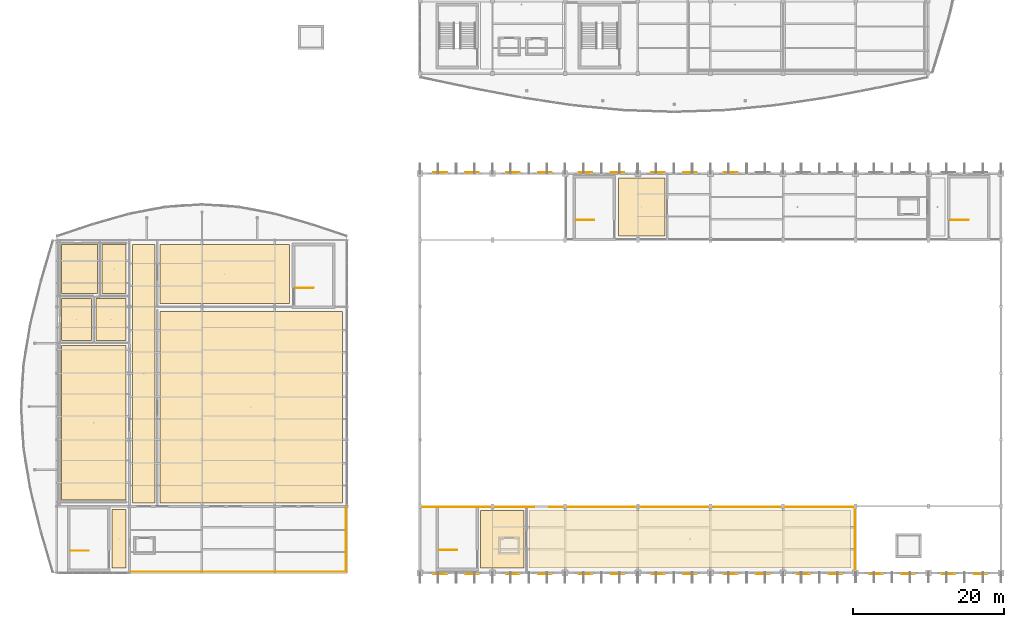
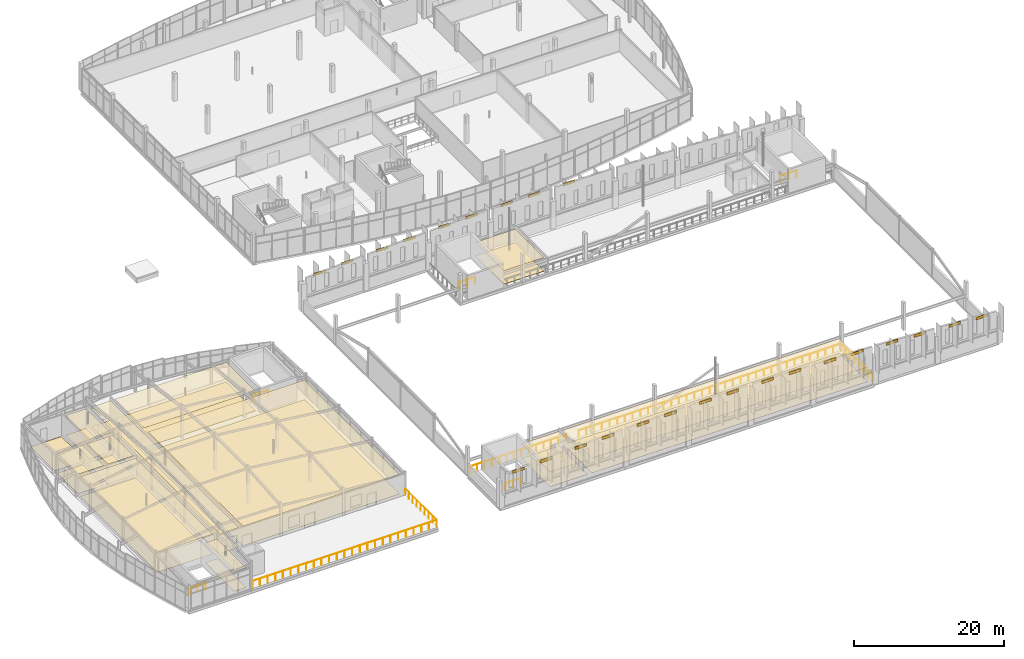
# One storey, part 112 of 114: 25 shading devices, 23 coverings, 8 railings.
"""IFC4 building model written with IfcOpenShell, lengths in metres."""

import ifcopenshell
import ifcopenshell.guid

model = None  # the IFC model being written
_history = None  # IfcOwnerHistory: only IFC2X3 demands one
_inside = {}  # id of a spatial element -> (the spatial element, [elements in it])
_under = {}  # id of a project, library or spatial element -> (it, [spatial elements below it])
_declared = {}  # id of a project -> (the project, [libraries it declares])
_typed = {}  # id of a type object -> (the type object, [elements of that type])
_made_of = {}  # id of a material, layer set ... -> (it, [elements and type objects made of it])


def new_model(schema):
    """Start an empty IFC model of exactly this schema.

    Asked for "IFC4X3", IfcOpenShell would pick the latest addendum, in which some entities
    have other attributes; the version numbers below select the first issue.
    IFC2X3 requires an IfcOwnerHistory on every rooted entity: one is made here for all.
    """
    global model, _history
    if schema == "IFC4X3":
        model = ifcopenshell.file(schema_version=(4, 3, 0, 0))
    else:
        model = ifcopenshell.file(schema=schema)
    _inside.clear()
    _under.clear()
    _declared.clear()
    _typed.clear()
    _made_of.clear()
    _history = None
    if model.schema == "IFC2X3":
        org = make("IfcOrganization", Name="unknown")
        user = make(
            "IfcPersonAndOrganization",
            ThePerson=make("IfcPerson", FamilyName="unknown"),
            TheOrganization=org,
        )
        app = make(
            "IfcApplication",
            ApplicationDeveloper=org,
            Version="unknown",
            ApplicationFullName="unknown",
            ApplicationIdentifier="unknown",
        )
        _history = make(
            "IfcOwnerHistory",
            OwningUser=user,
            OwningApplication=app,
            ChangeAction="ADDED",
            CreationDate=0,
        )
    return model


def make(cls, **values):
    """One entity of the class cls with the attributes given. An attribute that is None is left unset."""
    return model.create_entity(
        cls, **{name: value for name, value in values.items() if value is not None}
    )


def rooted(cls, **values):
    """An entity with a GlobalId (a new one), such as an element, a storey or a relation."""
    return make(cls, GlobalId=ifcopenshell.guid.new(), OwnerHistory=_history, **values)


def si_unit(unit_type, name, prefix=None):
    """IfcSIUnit, for example si_unit("LENGTHUNIT", "METRE", prefix="MILLI")."""
    return make("IfcSIUnit", UnitType=unit_type, Prefix=prefix, Name=name)


def assignment(units):
    """IfcUnitAssignment: the units of a project."""
    return None if units is None else make("IfcUnitAssignment", Units=units)


def point(xyz):
    """IfcCartesianPoint."""
    return None if xyz is None else make("IfcCartesianPoint", Coordinates=xyz)


def direction(xyz):
    """IfcDirection."""
    return None if xyz is None else make("IfcDirection", DirectionRatios=xyz)


def frame(location, z_axis=None, x_axis=None):
    """IfcAxis2Placement3D, a coordinate frame: its origin and axes. An axis left out is left unset."""
    return make(
        "IfcAxis2Placement3D",
        Location=point(location),
        Axis=direction(z_axis),
        RefDirection=direction(x_axis),
    )


def frame_2d(location, x_axis=None):
    """IfcAxis2Placement2D, a coordinate frame in the plane: its origin and x axis."""
    return make(
        "IfcAxis2Placement2D", Location=point(location), RefDirection=direction(x_axis)
    )


def origin():
    """The frame at (0, 0, 0) with its axes left unset."""
    return frame((0.0, 0.0, 0.0))


def origin_2d():
    """The frame at (0, 0) in the plane with its x axis left unset."""
    return frame_2d((0.0, 0.0))


def place(relative_to, where):
    """IfcLocalPlacement: puts the frame where relative to a parent placement (None: the world)."""
    return make(
        "IfcLocalPlacement", PlacementRelTo=relative_to, RelativePlacement=where
    )


def context(
    kind, dimensions, precision=None, world=None, true_north=None, identifier=None
):
    """IfcGeometricRepresentationContext, for example the 3D "Model" context."""
    return make(
        "IfcGeometricRepresentationContext",
        ContextIdentifier=identifier,
        ContextType=kind,
        CoordinateSpaceDimension=dimensions,
        Precision=precision,
        WorldCoordinateSystem=world,
        TrueNorth=true_north,
    )


def subcontext(parent, identifier, kind, view, scale=None):
    """IfcGeometricRepresentationSubContext, for example "Body" below "Model"."""
    return make(
        "IfcGeometricRepresentationSubContext",
        ContextIdentifier=identifier,
        ContextType=kind,
        ParentContext=parent,
        TargetScale=scale,
        TargetView=view,
    )


def project(units=None, contexts=None):
    """IfcProject with its units and contexts."""
    return rooted(
        "IfcProject",
        Name="project",
        RepresentationContexts=contexts,
        UnitsInContext=assignment(units),
    )


def spatial(cls, under=None, at=None, **own):
    """A site, building, storey or space (cls), placed at a placement, below another one or the project."""
    s = rooted(cls, ObjectPlacement=at, **own)
    if under is not None:
        _under.setdefault(under.id(), (under, []))[1].append(s)
    return s


def polyline(points):
    """IfcPolyline through the points."""
    return make("IfcPolyline", Points=[point(p) for p in points])


def profile(cls, at=None, kind="AREA", **sizes):
    """A parametric profile (cls). Its sizes go by their IFC names, for example OverallWidth=200.0."""
    return make(cls, ProfileType=kind, Position=at, **sizes)


def rectangle(**sizes):
    """IfcRectangleProfileDef."""
    return profile("IfcRectangleProfileDef", **sizes)


def circle(**sizes):
    """IfcCircleProfileDef."""
    return profile("IfcCircleProfileDef", **sizes)


def outline(outer, holes=None, kind="AREA"):
    """IfcArbitraryClosedProfileDef: a profile drawn as a closed curve; with holes, ...WithVoids."""
    if holes is None:
        return make("IfcArbitraryClosedProfileDef", ProfileType=kind, OuterCurve=outer)
    return make(
        "IfcArbitraryProfileDefWithVoids",
        ProfileType=kind,
        OuterCurve=outer,
        InnerCurves=holes,
    )


def extrude(swept, where, along, depth):
    """IfcExtrudedAreaSolid: the profile swept, set in the frame where, extruded along a direction by depth."""
    return make(
        "IfcExtrudedAreaSolid",
        SweptArea=swept,
        Position=where,
        ExtrudedDirection=direction(along),
        Depth=depth,
    )


def shape(context_of_items, identifier, shape_type, items):
    """IfcShapeRepresentation: the items that make up one representation, for example the "Body"."""
    return make(
        "IfcShapeRepresentation",
        ContextOfItems=context_of_items,
        RepresentationIdentifier=identifier,
        RepresentationType=shape_type,
        Items=items,
    )


def material(Name=None, Category=None):
    """IfcMaterial."""
    return make("IfcMaterial", Name=Name, Category=Category)


def layer(
    of_material, thickness, ventilated=None, Name=None, Category=None, Priority=None
):
    """IfcMaterialLayer: one layer of a wall or slab, of a material (None: an air gap)."""
    return make(
        "IfcMaterialLayer",
        Material=of_material,
        LayerThickness=thickness,
        IsVentilated=ventilated,
        Name=Name,
        Category=Category,
        Priority=Priority,
    )


def layer_set(layers, Name=None):
    """IfcMaterialLayerSet."""
    return make("IfcMaterialLayerSet", MaterialLayers=layers, LayerSetName=Name)


def made_of(thing, what):
    """Note that an element or type object is made of a material, layer set ...; save() writes the relation."""
    if what is not None:
        _made_of.setdefault(what.id(), (what, []))[1].append(thing)
    return thing


def type_object(cls, material=None, **own):
    """A type object (cls), such as IfcWallType, which elements share."""
    return made_of(rooted(cls, **own), material)


def element(
    cls,
    number,
    at=None,
    inside=None,
    cuts=None,
    type_object=None,
    material=None,
    context=None,
    identifier="Body",
    shape_type=None,
    held_by="IfcProductDefinitionShape",
    body=None,
    shapes=None,
    **own,
):
    """One element of the class cls, such as IfcWall. Its Tag is "e" and its number.

    at: its placement. inside: the storey or other place that contains it. cuts: it is an
    opening in that element (IfcRelVoidsElement). A single representation is given by context,
    identifier, shape_type and body (its items); several are given by shapes. held_by: the class
    of the entity that holds the representations. save() writes the other relations.
    """
    e = rooted(cls, Tag="e%d" % number, ObjectPlacement=at, **own)
    if body is not None:
        shapes = [shape(context, identifier, shape_type, body)]
    if shapes is not None:
        e.Representation = make(held_by, Representations=shapes)
    if inside is not None:
        _inside.setdefault(inside.id(), (inside, []))[1].append(e)
    if cuts is not None:
        rooted(
            "IfcRelVoidsElement", RelatingBuildingElement=cuts, RelatedOpeningElement=e
        )
    if type_object is not None:
        _typed.setdefault(type_object.id(), (type_object, []))[1].append(e)
    return made_of(e, material)


def aggregate(whole, parts):
    """IfcRelAggregates: a whole, such as a stair, and the parts it consists of."""
    return rooted("IfcRelAggregates", RelatingObject=whole, RelatedObjects=parts)


def save(model, path):
    """Write the relations noted so far, then the file.

    IfcRelAggregates (storeys below a building ...), IfcRelContainedInSpatialStructure (elements
    in a storey), IfcRelDefinesByType, IfcRelAssociatesMaterial and IfcRelDeclares: one each for
    every whole, place, type object, material and project.
    """
    for whole, parts in _under.values():
        aggregate(whole, parts)
    for where, things in _inside.values():
        rooted(
            "IfcRelContainedInSpatialStructure",
            RelatedElements=things,
            RelatingStructure=where,
        )
    for kind, things in _typed.values():
        rooted("IfcRelDefinesByType", RelatedObjects=things, RelatingType=kind)
    for what, things in _made_of.values():
        rooted("IfcRelAssociatesMaterial", RelatedObjects=things, RelatingMaterial=what)
    for by, libraries in _declared.values():
        rooted("IfcRelDeclares", RelatingContext=by, RelatedDefinitions=libraries)
    model.write(path)


model = new_model("IFC4")

# Units and contexts
model_context = context("Model", 3, precision=1e-05, world=origin(), true_north=direction((0.0, 1.0)))
body_context = subcontext(model_context, "Body", "Model", "MODEL_VIEW")
ifc_project = project(units=[si_unit("LENGTHUNIT", "METRE"), si_unit("AREAUNIT", "SQUARE_METRE"), si_unit("VOLUMEUNIT", "CUBIC_METRE"), si_unit("PLANEANGLEUNIT", "RADIAN"), si_unit("MASSUNIT", "GRAM", prefix="KILO")], contexts=[model_context])

# Site, building, storey
site_placement = place(None, origin())
site = spatial("IfcSite", under=ifc_project, at=site_placement, CompositionType="ELEMENT")
building_placement = place(site_placement, origin())
building = spatial("IfcBuilding", under=site, at=building_placement, Name="Chalmorin Arch Market", CompositionType="ELEMENT")
storey_placement = place(building_placement, frame((0.0, 0.0, 9.60009765625)))
storey = spatial("IfcBuildingStorey", under=building, at=storey_placement, Name="L02", CompositionType="ELEMENT", Elevation=9.60009765625)

# Coverings
ifc_material_1 = material(Name="Mineral Fibre Acoustic Tile")
ifc_layer_1 = layer(ifc_material_1, 0.044921875)
ifc_layer_set_1 = layer_set([ifc_layer_1], Name="Mineral Fibre Acoustic Tile")
covering_type_1 = type_object("IfcCoveringType", Name="AcousticBaffleCeiling-45", PredefinedType="CEILING", material=ifc_layer_set_1)
covering_1_placement = place(storey_placement, frame((0.0, 0.0, 2.385009765625)))
element("IfcCovering", 1, at=covering_1_placement, inside=storey, type_object=covering_type_1, Name="CLG-01-200", PredefinedType="CEILING", context=body_context, shape_type="SweptSolid", body=[
    extrude(outline(polyline([(56.02001953125, 6.6201171875), (61.780029296875, 6.6201171875), (61.780029296875, 14.280029296875), (56.02001953125, 14.280029296875), (56.02001953125, 6.6201171875)])), origin(), (0.0, 0.0, 1.0), 0.044921875),
])
covering_2_placement = place(storey_placement, frame((0.0, 0.0, 2.385009765625)))
element("IfcCovering", 2, at=covering_2_placement, inside=storey, type_object=covering_type_1, Name="CLG-01-202", PredefinedType="CEILING", context=body_context, shape_type="SweptSolid", body=[
    extrude(outline(polyline([(62.419921875, 6.6201171875), (104.97998046875, 6.6201171875), (104.97998046875, 14.280029296875), (62.419921875, 14.280029296875), (62.419921875, 6.6201171875)])), origin(), (0.0, 0.0, 1.0), 0.044921875),
])
covering_3_placement = place(storey_placement, frame((0.0, 0.0, 2.184814453125)))
element("IfcCovering", 3, at=covering_3_placement, inside=storey, type_object=covering_type_1, Name="CLG-01-204", PredefinedType="CEILING", context=body_context, shape_type="SweptSolid", body=[
    extrude(outline(polyline([(74.219970703125, 50.52001953125), (80.3798828125, 50.52001953125), (80.3798828125, 58.179931640625), (74.219970703125, 58.179931640625), (74.219970703125, 50.52001953125)])), origin(), (0.0, 0.0, 1.0), 0.045166015625),
])
covering_4_placement = place(storey_placement, frame((0.0, 0.0, 3.184814453125)))
element("IfcCovering", 4, at=covering_4_placement, inside=storey, type_object=covering_type_1, Name="CLG-01-210", PredefinedType="CEILING", context=body_context, shape_type="SweptSolid", body=[
    extrude(outline(polyline([(7.320068359375, 6.6201171875), (9.179931640625, 6.6201171875), (9.179931640625, 14.3798828125), (7.320068359375, 14.3798828125), (7.320068359375, 6.6201171875)])), origin(), (0.0, 0.0, 1.0), 0.045166015625),
])
covering_5_placement = place(storey_placement, frame((0.0, 0.0, 3.184814453125)))
element("IfcCovering", 5, at=covering_5_placement, inside=storey, type_object=covering_type_1, Name="CLG-01-212", PredefinedType="CEILING", context=body_context, shape_type="SweptSolid", body=[
    extrude(outline(polyline([(10.02001953125, 15.219970703125), (12.97998046875, 15.219970703125), (12.97998046875, 49.3798828125), (10.02001953125, 49.3798828125), (10.02001953125, 15.219970703125)])), origin(), (0.0, 0.0, 1.0), 0.045166015625),
])
covering_6_placement = place(storey_placement, frame((0.0, 0.0, 3.184814453125)))
element("IfcCovering", 6, at=covering_6_placement, inside=storey, type_object=covering_type_1, Name="CLG-01-214", PredefinedType="CEILING", context=body_context, shape_type="SweptSolid", body=[
    extrude(outline(polyline([(13.6201171875, 15.219970703125), (37.780029296875, 15.219970703125), (37.780029296875, 40.580078125), (13.6201171875, 40.580078125), (13.6201171875, 15.219970703125)])), origin(), (0.0, 0.0, 1.0), 0.045166015625),
])
covering_7_placement = place(storey_placement, frame((0.0, 0.0, 3.184814453125)))
element("IfcCovering", 7, at=covering_7_placement, inside=storey, type_object=covering_type_1, Name="CLG-01-216", PredefinedType="CEILING", context=body_context, shape_type="SweptSolid", body=[
    extrude(outline(polyline([(13.6201171875, 41.6201171875), (30.780029296875, 41.6201171875), (30.780029296875, 49.3798828125), (13.6201171875, 49.3798828125), (13.6201171875, 41.6201171875)])), origin(), (0.0, 0.0, 1.0), 0.045166015625),
])

# Shading devices
ifc_material_2 = material(Name="Aluminium 6063-T6", Category="aluminium")
ifc_layer_2 = layer(ifc_material_2, 0.080078125)
ifc_layer_set_2 = layer_set([ifc_layer_2], Name="Aluminium 6063-T6")
shading_device_type = type_object("IfcShadingDeviceType", Name="AcousticSunLouverPanel-1800x450", PredefinedType="JALOUSIE", material=ifc_layer_set_2)
for number, where, z_axis, x_axis, name in (
    (8, (50.68798828125, 5.8798828125, 4.82275390625), (0.0, 0.0, 1.0), (1.0, 0.0, 0.0), "LV-01-001"),
    (9, (54.912109375, 5.8798828125, 5.0517578125), (0.0, 0.0, 1.0), (1.0, 0.0, 0.0), "LV-01-002"),
    (10, (50.68798828125, 58.919921875, 4.82275390625), (0.0, 0.0, 1.0), (1.0, 0.0, 0.0), "LV-01-003"),
    (11, (54.912109375, 58.919921875, 5.0517578125), (0.0, 0.0, 1.0), (1.0, 0.0, 0.0), "LV-01-004"),
    (12, (60.2880859375, 5.8798828125, 5.32470703125), (0.0, 0.0, 1.0), (1.0, 0.0, 0.0), "LV-01-005"),
    (13, (64.511962890625, 5.8798828125, 5.51904296875), (0.0, 0.0, 1.0), (1.0, 0.0, 0.0), "LV-01-006"),
    (14, (60.2880859375, 58.919921875, 5.32470703125), (0.0, 0.0, 1.0), (1.0, 0.0, 0.0), "LV-01-007"),
    (15, (64.511962890625, 58.919921875, 5.51904296875), (0.0, 0.0, 1.0), (1.0, 0.0, 0.0), "LV-01-008"),
    (16, (69.887939453125, 5.8798828125, 5.72900390625), (0.0, 0.0, 1.0), (1.0, 0.0, 0.0), "LV-01-009"),
    (17, (74.112060546875, 5.8798828125, 5.85791015625), (0.0, 0.0, 1.0), (1.0, 0.0, 0.0), "LV-01-010"),
    (18, (69.887939453125, 58.919921875, 5.72900390625), (0.0, 0.0, 1.0), (1.0, 0.0, 0.0), "LV-01-011"),
    (19, (74.112060546875, 58.919921875, 5.85791015625), (0.0, 0.0, 1.0), (1.0, 0.0, 0.0), "LV-01-012"),
    (20, (79.488037109375, 5.8798828125, 5.970703125), (0.0, 0.0, 1.0), (1.0, 0.0, 0.0), "LV-01-013"),
    (21, (83.7119140625, 5.8798828125, 6.01708984375), (0.0, 0.0, 1.0), (1.0, 0.0, 0.0), "LV-01-014"),
    (22, (79.488037109375, 58.919921875, 5.970703125), (0.0, 0.0, 1.0), (1.0, 0.0, 0.0), "LV-01-015"),
    (23, (83.7119140625, 58.919921875, 6.01708984375), (0.0, 0.0, 1.0), (1.0, 0.0, 0.0), "LV-01-016"),
    (24, (89.087890625, 5.8798828125, 6.01708984375), (0.0, 0.0, 1.0), (1.0, 0.0, 0.0), "LV-01-017"),
    (25, (93.31201171875, 5.8798828125, 5.970703125), (0.0, 0.0, 1.0), (1.0, 0.0, 0.0), "LV-01-018"),
    (26, (89.087890625, 58.919921875, 6.01708984375), (0.0, 0.0, 1.0), (1.0, 0.0, 0.0), "LV-01-019"),
    (27, (98.68798828125, 5.8798828125, 5.85791015625), (0.0, 0.0, 1.0), (1.0, 0.0, 0.0), "LV-01-021"),
    (28, (102.912109375, 5.8798828125, 5.72900390625), (0.0, 0.0, 1.0), (1.0, 0.0, 0.0), "LV-01-022"),
    (29, (108.2880859375, 5.8798828125, 5.51904296875), (0.0, 0.0, 1.0), (1.0, 0.0, 0.0), "LV-01-025"),
    (30, (112.511962890625, 5.8798828125, 5.32470703125), (0.0, 0.0, 1.0), (1.0, 0.0, 0.0), "LV-01-026"),
    (31, (117.887939453125, 5.8798828125, 5.0517578125), (0.0, 0.0, 1.0), (1.0, 0.0, 0.0), "LV-01-029"),
    (32, (122.112060546875, 5.8798828125, 4.82275390625), (0.0, 0.0, 1.0), (1.0, 0.0, 0.0), "LV-01-030"),
):
    element("IfcShadingDevice", number, at=place(storey_placement, frame(where, z_axis=z_axis, x_axis=x_axis)), inside=storey, type_object=shading_device_type, Name=name, PredefinedType="JALOUSIE", context=body_context, shape_type="SweptSolid", body=[
        extrude(rectangle(XDim=1.800048828125, YDim=0.080078125, at=origin_2d()), origin(), (0.0, 0.0, 1.0), 0.449951171875),
    ])

# Covering
ifc_material_3 = material(Name="Epoxy Resin Flooring")
ifc_layer_3 = layer(ifc_material_3, 0.02001953125)
ifc_layer_set_3 = layer_set([ifc_layer_3], Name="Epoxy Resin Flooring")
covering_type_2 = type_object("IfcCoveringType", Name="EpoxySlipResistantKitchenFloor-20", PredefinedType="FLOORING", material=ifc_layer_set_3)
covering_8_placement = place(storey_placement, origin())
element("IfcCovering", 33, at=covering_8_placement, inside=storey, type_object=covering_type_2, Name="FLR-02-217", PredefinedType="FLOORING", context=body_context, shape_type="SweptSolid", body=[
    extrude(outline(polyline([(0.6201171875, 15.6201171875), (9.179931640625, 15.6201171875), (9.179931640625, 36.080078125), (0.6201171875, 36.080078125), (0.6201171875, 15.6201171875)])), origin(), (0.0, 0.0, 1.0), 0.02001953125),
])

# Railings
ifc_material_4 = material(Name="Laminated Acoustic Glass", Category="glass")
ifc_layer_4 = layer(ifc_material_4, 0.070068359375)
ifc_layer_set_4 = layer_set([ifc_layer_4], Name="Laminated Acoustic Glass")
railing_type_1 = type_object("IfcRailingType", Name="GlassBalustradeRailing-1150", PredefinedType="BALUSTRADE", material=ifc_layer_set_4)
railing_1_placement = place(storey_placement, frame((48.300048828125, 14.719970703125, 0.0)))
element("IfcRailing", 34, at=railing_1_placement, inside=storey, type_object=railing_type_1, Name="GR-005", PredefinedType="BALUSTRADE", context=body_context, shape_type="SweptSolid", body=[
    extrude(circle(Radius=0.02392578125, at=origin_2d()), frame((0.0, 0.0, 1.1259765625), z_axis=(1.0, 0.0, 0.0), x_axis=(0.0, 1.0, 0.0)), (0.0, 0.0, 1.0), 14.800048828125),
    extrude(circle(Radius=0.02099609375, at=origin_2d()), origin(), (0.0, 0.0, 1.0), 1.101806640625),
    extrude(circle(Radius=0.02099609375, at=origin_2d()), frame((1.138427734375, 0.0, 0.0)), (0.0, 0.0, 1.0), 1.101806640625),
    extrude(circle(Radius=0.02099609375, at=origin_2d()), frame((2.27685546875, 0.0, 0.0)), (0.0, 0.0, 1.0), 1.101806640625),
    extrude(circle(Radius=0.02099609375, at=origin_2d()), frame((3.415283203125, 0.0, 0.0)), (0.0, 0.0, 1.0), 1.101806640625),
    extrude(circle(Radius=0.02099609375, at=origin_2d()), frame((4.553955078125, 0.0, 0.0)), (0.0, 0.0, 1.0), 1.101806640625),
    extrude(circle(Radius=0.02099609375, at=origin_2d()), frame((5.6923828125, 0.0, 0.0)), (0.0, 0.0, 1.0), 1.101806640625),
    extrude(circle(Radius=0.02099609375, at=origin_2d()), frame((6.830810546875, 0.0, 0.0)), (0.0, 0.0, 1.0), 1.101806640625),
    extrude(circle(Radius=0.02099609375, at=origin_2d()), frame((7.96923828125, 0.0, 0.0)), (0.0, 0.0, 1.0), 1.101806640625),
    extrude(circle(Radius=0.02099609375, at=origin_2d()), frame((9.107666015625, 0.0, 0.0)), (0.0, 0.0, 1.0), 1.101806640625),
    extrude(circle(Radius=0.02099609375, at=origin_2d()), frame((10.24609375, 0.0, 0.0)), (0.0, 0.0, 1.0), 1.101806640625),
    extrude(circle(Radius=0.02099609375, at=origin_2d()), frame((11.384765625, 0.0, 0.0)), (0.0, 0.0, 1.0), 1.101806640625),
    extrude(circle(Radius=0.02099609375, at=origin_2d()), frame((12.523193359375, 0.0, 0.0)), (0.0, 0.0, 1.0), 1.101806640625),
    extrude(circle(Radius=0.02099609375, at=origin_2d()), frame((13.66162109375, 0.0, 0.0)), (0.0, 0.0, 1.0), 1.101806640625),
    extrude(circle(Radius=0.02099609375, at=origin_2d()), frame((14.800048828125, 0.0, 0.0)), (0.0, 0.0, 1.0), 1.101806640625),
])
railing_2_placement = place(storey_placement, frame((65.10009765625, 14.719970703125, 0.0)))
element("IfcRailing", 35, at=railing_2_placement, inside=storey, type_object=railing_type_1, Name="GR-006", PredefinedType="BALUSTRADE", context=body_context, shape_type="SweptSolid", body=[
    extrude(circle(Radius=0.02392578125, at=origin_2d()), frame((0.0, 0.0, 1.1259765625), z_axis=(1.0, 0.0, 0.0), x_axis=(0.0, 1.0, 0.0)), (0.0, 0.0, 1.0), 40.39990234375),
    extrude(circle(Radius=0.02392578125, at=origin_2d()), frame((40.39990234375, 0.0, 1.1259765625), z_axis=(0.0, -1.0, 0.0), x_axis=(1.0, 0.0, 0.0)), (0.0, 0.0, 1.0), 8.369873046875),
    extrude(circle(Radius=0.02099609375, at=origin_2d()), origin(), (0.0, 0.0, 1.0), 1.101806640625),
    extrude(circle(Radius=0.02099609375, at=origin_2d()), frame((1.188232421875, 0.0, 0.0)), (0.0, 0.0, 1.0), 1.101806640625),
    extrude(circle(Radius=0.02099609375, at=origin_2d()), frame((2.37646484375, 0.0, 0.0)), (0.0, 0.0, 1.0), 1.101806640625),
    extrude(circle(Radius=0.02099609375, at=origin_2d()), frame((3.564697265625, 0.0, 0.0)), (0.0, 0.0, 1.0), 1.101806640625),
    extrude(circle(Radius=0.02099609375, at=origin_2d()), frame((4.7529296875, 0.0, 0.0)), (0.0, 0.0, 1.0), 1.101806640625),
    extrude(circle(Radius=0.02099609375, at=origin_2d()), frame((5.941162109375, 0.0, 0.0)), (0.0, 0.0, 1.0), 1.101806640625),
    extrude(circle(Radius=0.02099609375, at=origin_2d()), frame((7.12939453125, 0.0, 0.0)), (0.0, 0.0, 1.0), 1.101806640625),
    extrude(circle(Radius=0.02099609375, at=origin_2d()), frame((8.317626953125, 0.0, 0.0)), (0.0, 0.0, 1.0), 1.101806640625),
    extrude(circle(Radius=0.02099609375, at=origin_2d()), frame((9.505859375, 0.0, 0.0)), (0.0, 0.0, 1.0), 1.101806640625),
    extrude(circle(Radius=0.02099609375, at=origin_2d()), frame((10.694091796875, 0.0, 0.0)), (0.0, 0.0, 1.0), 1.101806640625),
    extrude(circle(Radius=0.02099609375, at=origin_2d()), frame((11.88232421875, 0.0, 0.0)), (0.0, 0.0, 1.0), 1.101806640625),
    extrude(circle(Radius=0.02099609375, at=origin_2d()), frame((13.070556640625, 0.0, 0.0)), (0.0, 0.0, 1.0), 1.101806640625),
    extrude(circle(Radius=0.02099609375, at=origin_2d()), frame((14.2587890625, 0.0, 0.0)), (0.0, 0.0, 1.0), 1.101806640625),
    extrude(circle(Radius=0.02099609375, at=origin_2d()), frame((15.447021484375, 0.0, 0.0)), (0.0, 0.0, 1.0), 1.101806640625),
    extrude(circle(Radius=0.02099609375, at=origin_2d()), frame((16.63525390625, 0.0, 0.0)), (0.0, 0.0, 1.0), 1.101806640625),
    extrude(circle(Radius=0.02099609375, at=origin_2d()), frame((17.823486328125, 0.0, 0.0)), (0.0, 0.0, 1.0), 1.101806640625),
    extrude(circle(Radius=0.02099609375, at=origin_2d()), frame((19.01171875, 0.0, 0.0)), (0.0, 0.0, 1.0), 1.101806640625),
    extrude(circle(Radius=0.02099609375, at=origin_2d()), frame((20.199951171875, 0.0, 0.0)), (0.0, 0.0, 1.0), 1.101806640625),
    extrude(circle(Radius=0.02099609375, at=origin_2d()), frame((21.38818359375, 0.0, 0.0)), (0.0, 0.0, 1.0), 1.101806640625),
    extrude(circle(Radius=0.02099609375, at=origin_2d()), frame((22.576416015625, 0.0, 0.0)), (0.0, 0.0, 1.0), 1.101806640625),
    extrude(circle(Radius=0.02099609375, at=origin_2d()), frame((23.7646484375, 0.0, 0.0)), (0.0, 0.0, 1.0), 1.101806640625),
    extrude(circle(Radius=0.02099609375, at=origin_2d()), frame((24.952880859375, 0.0, 0.0)), (0.0, 0.0, 1.0), 1.101806640625),
    extrude(circle(Radius=0.02099609375, at=origin_2d()), frame((26.14111328125, 0.0, 0.0)), (0.0, 0.0, 1.0), 1.101806640625),
    extrude(circle(Radius=0.02099609375, at=origin_2d()), frame((27.329345703125, 0.0, 0.0)), (0.0, 0.0, 1.0), 1.101806640625),
    extrude(circle(Radius=0.02099609375, at=origin_2d()), frame((28.517578125, 0.0, 0.0)), (0.0, 0.0, 1.0), 1.101806640625),
    extrude(circle(Radius=0.02099609375, at=origin_2d()), frame((29.705810546875, 0.0, 0.0)), (0.0, 0.0, 1.0), 1.101806640625),
    extrude(circle(Radius=0.02099609375, at=origin_2d()), frame((30.89404296875, 0.0, 0.0)), (0.0, 0.0, 1.0), 1.101806640625),
    extrude(circle(Radius=0.02099609375, at=origin_2d()), frame((32.082275390625, 0.0, 0.0)), (0.0, 0.0, 1.0), 1.101806640625),
    extrude(circle(Radius=0.02099609375, at=origin_2d()), frame((33.2705078125, 0.0, 0.0)), (0.0, 0.0, 1.0), 1.101806640625),
    extrude(circle(Radius=0.02099609375, at=origin_2d()), frame((34.458740234375, 0.0, 0.0)), (0.0, 0.0, 1.0), 1.101806640625),
    extrude(circle(Radius=0.02099609375, at=origin_2d()), frame((35.64697265625, 0.0, 0.0)), (0.0, 0.0, 1.0), 1.101806640625),
    extrude(circle(Radius=0.02099609375, at=origin_2d()), frame((36.835205078125, 0.0, 0.0)), (0.0, 0.0, 1.0), 1.101806640625),
    extrude(circle(Radius=0.02099609375, at=origin_2d()), frame((38.0234375, 0.0, 0.0)), (0.0, 0.0, 1.0), 1.101806640625),
    extrude(circle(Radius=0.02099609375, at=origin_2d()), frame((39.211669921875, 0.0, 0.0)), (0.0, 0.0, 1.0), 1.101806640625),
    extrude(circle(Radius=0.02099609375, at=origin_2d()), frame((40.39990234375, 0.0, 0.0)), (0.0, 0.0, 1.0), 1.101806640625),
    extrude(circle(Radius=0.02099609375, at=origin_2d()), frame((40.39990234375, -1.19580078125, 0.0)), (0.0, 0.0, 1.0), 1.101806640625),
    extrude(circle(Radius=0.02099609375, at=origin_2d()), frame((40.39990234375, -2.391357421875, 0.0)), (0.0, 0.0, 1.0), 1.101806640625),
    extrude(circle(Radius=0.02099609375, at=origin_2d()), frame((40.39990234375, -3.587158203125, 0.0)), (0.0, 0.0, 1.0), 1.101806640625),
    extrude(circle(Radius=0.02099609375, at=origin_2d()), frame((40.39990234375, -4.78271484375, 0.0)), (0.0, 0.0, 1.0), 1.101806640625),
    extrude(circle(Radius=0.02099609375, at=origin_2d()), frame((40.39990234375, -5.978515625, 0.0)), (0.0, 0.0, 1.0), 1.101806640625),
    extrude(circle(Radius=0.02099609375, at=origin_2d()), frame((40.39990234375, -7.174072265625, 0.0)), (0.0, 0.0, 1.0), 1.101806640625),
    extrude(circle(Radius=0.02099609375, at=origin_2d()), frame((40.39990234375, -8.369873046875, 0.0)), (0.0, 0.0, 1.0), 1.101806640625),
])
railing_3_placement = place(storey_placement, frame((9.85009765625, 6.14990234375, 0.0)))
element("IfcRailing", 36, at=railing_3_placement, inside=storey, type_object=railing_type_1, Name="GR-010", PredefinedType="BALUSTRADE", context=body_context, shape_type="SweptSolid", body=[
    extrude(circle(Radius=0.02392578125, at=origin_2d()), frame((0.0, 0.0, 1.1259765625), z_axis=(1.0, 0.0, 0.0), x_axis=(0.0, 1.0, 0.0)), (0.0, 0.0, 1.0), 28.39990234375),
    extrude(circle(Radius=0.02392578125, at=origin_2d()), frame((28.39990234375, 0.0, 1.1259765625), z_axis=(0.0, 1.0, 0.0), x_axis=(-1.0, 0.0, 0.0)), (0.0, 0.0, 1.0), 8.5),
    extrude(circle(Radius=0.02099609375, at=origin_2d()), origin(), (0.0, 0.0, 1.0), 1.101806640625),
    extrude(circle(Radius=0.02099609375, at=origin_2d()), frame((1.183349609375, 0.0, 0.0)), (0.0, 0.0, 1.0), 1.101806640625),
    extrude(circle(Radius=0.02099609375, at=origin_2d()), frame((2.36669921875, 0.0, 0.0)), (0.0, 0.0, 1.0), 1.101806640625),
    extrude(circle(Radius=0.02099609375, at=origin_2d()), frame((3.550048828125, 0.0, 0.0)), (0.0, 0.0, 1.0), 1.101806640625),
    extrude(circle(Radius=0.02099609375, at=origin_2d()), frame((4.7333984375, 0.0, 0.0)), (0.0, 0.0, 1.0), 1.101806640625),
    extrude(circle(Radius=0.02099609375, at=origin_2d()), frame((5.916748046875, 0.0, 0.0)), (0.0, 0.0, 1.0), 1.101806640625),
    extrude(circle(Radius=0.02099609375, at=origin_2d()), frame((7.10009765625, 0.0, 0.0)), (0.0, 0.0, 1.0), 1.101806640625),
    extrude(circle(Radius=0.02099609375, at=origin_2d()), frame((8.283203125, 0.0, 0.0)), (0.0, 0.0, 1.0), 1.101806640625),
    extrude(circle(Radius=0.02099609375, at=origin_2d()), frame((9.466552734375, 0.0, 0.0)), (0.0, 0.0, 1.0), 1.101806640625),
    extrude(circle(Radius=0.02099609375, at=origin_2d()), frame((10.64990234375, 0.0, 0.0)), (0.0, 0.0, 1.0), 1.101806640625),
    extrude(circle(Radius=0.02099609375, at=origin_2d()), frame((11.833251953125, 0.0, 0.0)), (0.0, 0.0, 1.0), 1.101806640625),
    extrude(circle(Radius=0.02099609375, at=origin_2d()), frame((13.0166015625, 0.0, 0.0)), (0.0, 0.0, 1.0), 1.101806640625),
    extrude(circle(Radius=0.02099609375, at=origin_2d()), frame((14.199951171875, 0.0, 0.0)), (0.0, 0.0, 1.0), 1.101806640625),
    extrude(circle(Radius=0.02099609375, at=origin_2d()), frame((15.38330078125, 0.0, 0.0)), (0.0, 0.0, 1.0), 1.101806640625),
    extrude(circle(Radius=0.02099609375, at=origin_2d()), frame((16.566650390625, 0.0, 0.0)), (0.0, 0.0, 1.0), 1.101806640625),
    extrude(circle(Radius=0.02099609375, at=origin_2d()), frame((17.75, 0.0, 0.0)), (0.0, 0.0, 1.0), 1.101806640625),
    extrude(circle(Radius=0.02099609375, at=origin_2d()), frame((18.933349609375, 0.0, 0.0)), (0.0, 0.0, 1.0), 1.101806640625),
    extrude(circle(Radius=0.02099609375, at=origin_2d()), frame((20.11669921875, 0.0, 0.0)), (0.0, 0.0, 1.0), 1.101806640625),
    extrude(circle(Radius=0.02099609375, at=origin_2d()), frame((21.2998046875, 0.0, 0.0)), (0.0, 0.0, 1.0), 1.101806640625),
    extrude(circle(Radius=0.02099609375, at=origin_2d()), frame((22.483154296875, 0.0, 0.0)), (0.0, 0.0, 1.0), 1.101806640625),
    extrude(circle(Radius=0.02099609375, at=origin_2d()), frame((23.66650390625, 0.0, 0.0)), (0.0, 0.0, 1.0), 1.101806640625),
    extrude(circle(Radius=0.02099609375, at=origin_2d()), frame((24.849853515625, 0.0, 0.0)), (0.0, 0.0, 1.0), 1.101806640625),
    extrude(circle(Radius=0.02099609375, at=origin_2d()), frame((26.033203125, 0.0, 0.0)), (0.0, 0.0, 1.0), 1.101806640625),
    extrude(circle(Radius=0.02099609375, at=origin_2d()), frame((27.216552734375, 0.0, 0.0)), (0.0, 0.0, 1.0), 1.101806640625),
    extrude(circle(Radius=0.02099609375, at=origin_2d()), frame((28.39990234375, 0.0, 0.0)), (0.0, 0.0, 1.0), 1.101806640625),
    extrude(circle(Radius=0.02099609375, at=origin_2d()), frame((28.39990234375, 1.0625, 0.0)), (0.0, 0.0, 1.0), 1.101806640625),
    extrude(circle(Radius=0.02099609375, at=origin_2d()), frame((28.39990234375, 2.125, 0.0)), (0.0, 0.0, 1.0), 1.101806640625),
    extrude(circle(Radius=0.02099609375, at=origin_2d()), frame((28.39990234375, 3.1875, 0.0)), (0.0, 0.0, 1.0), 1.101806640625),
    extrude(circle(Radius=0.02099609375, at=origin_2d()), frame((28.39990234375, 4.25, 0.0)), (0.0, 0.0, 1.0), 1.101806640625),
    extrude(circle(Radius=0.02099609375, at=origin_2d()), frame((28.39990234375, 5.3125, 0.0)), (0.0, 0.0, 1.0), 1.101806640625),
    extrude(circle(Radius=0.02099609375, at=origin_2d()), frame((28.39990234375, 6.375, 0.0)), (0.0, 0.0, 1.0), 1.101806640625),
    extrude(circle(Radius=0.02099609375, at=origin_2d()), frame((28.39990234375, 7.4375, 0.0)), (0.0, 0.0, 1.0), 1.101806640625),
    extrude(circle(Radius=0.02099609375, at=origin_2d()), frame((28.39990234375, 8.5, 0.0)), (0.0, 0.0, 1.0), 1.101806640625),
])

# Coverings
ifc_material_5 = material(Name="Powder-coated Aluminium Panel", Category="aluminium")
ifc_layer_5 = layer(ifc_material_5, 0.034912109375)
ifc_layer_set_5 = layer_set([ifc_layer_5], Name="Powder-coated Aluminium Panel")
covering_type_3 = type_object("IfcCoveringType", Name="HygienicWashableKitchenCeiling-35", PredefinedType="CEILING", material=ifc_layer_set_5)
covering_9_placement = place(storey_placement, frame((0.0, 0.0, 3.19482421875)))
element("IfcCovering", 37, at=covering_9_placement, inside=storey, type_object=covering_type_3, Name="CLG-02-218", PredefinedType="CEILING", context=body_context, shape_type="SweptSolid", body=[
    extrude(outline(polyline([(0.6201171875, 15.6201171875), (9.179931640625, 15.6201171875), (9.179931640625, 36.080078125), (0.6201171875, 36.080078125), (0.6201171875, 15.6201171875)])), origin(), (0.0, 0.0, 1.0), 0.03515625),
])
ifc_material_6 = material(Name="Gypsum Board Partition")
ifc_layer_6 = layer(ifc_material_6, 0.030029296875)
ifc_layer_set_6 = layer_set([ifc_layer_6], Name="Gypsum Board Partition")
covering_type_4 = type_object("IfcCoveringType", Name="MoistureResistantGypsumCeiling-30", PredefinedType="CEILING", material=ifc_layer_set_6)
covering_10_placement = place(storey_placement, frame((0.0, 0.0, 3.199951171875)))
element("IfcCovering", 38, at=covering_10_placement, inside=storey, type_object=covering_type_4, Name="CLG-03-220", PredefinedType="CEILING", context=body_context, shape_type="SweptSolid", body=[
    extrude(outline(polyline([(0.6201171875, 36.719970703125), (4.580078125, 36.719970703125), (4.580078125, 42.280029296875), (0.6201171875, 42.280029296875), (0.6201171875, 36.719970703125)])), origin(), (0.0, 0.0, 1.0), 0.030029296875),
])
covering_11_placement = place(storey_placement, frame((0.0, 0.0, 3.199951171875)))
element("IfcCovering", 39, at=covering_11_placement, inside=storey, type_object=covering_type_4, Name="CLG-03-222", PredefinedType="CEILING", context=body_context, shape_type="SweptSolid", body=[
    extrude(outline(polyline([(5.219970703125, 36.719970703125), (9.179931640625, 36.719970703125), (9.179931640625, 42.280029296875), (5.219970703125, 42.280029296875), (5.219970703125, 36.719970703125)])), origin(), (0.0, 0.0, 1.0), 0.030029296875),
])
covering_12_placement = place(storey_placement, frame((0.0, 0.0, 3.199951171875)))
element("IfcCovering", 40, at=covering_12_placement, inside=storey, type_object=covering_type_4, Name="CLG-03-224", PredefinedType="CEILING", context=body_context, shape_type="SweptSolid", body=[
    extrude(outline(polyline([(6.02001953125, 42.919921875), (9.179931640625, 42.919921875), (9.179931640625, 49.3798828125), (6.02001953125, 49.3798828125), (6.02001953125, 42.919921875)])), origin(), (0.0, 0.0, 1.0), 0.030029296875),
])
ifc_material_7 = material(Name="Ceramic Porcelain Tile")
ifc_layer_7 = layer(ifc_material_7, 0.01806640625)
ifc_layer_set_7 = layer_set([ifc_layer_7], Name="Ceramic Porcelain Tile")
covering_type_5 = type_object("IfcCoveringType", Name="PorcelainRestroomTileFloor-18", PredefinedType="FLOORING", material=ifc_layer_set_7)
covering_13_placement = place(storey_placement, origin())
element("IfcCovering", 41, at=covering_13_placement, inside=storey, type_object=covering_type_5, Name="FLR-03-219", PredefinedType="FLOORING", context=body_context, shape_type="SweptSolid", body=[
    extrude(outline(polyline([(0.6201171875, 36.719970703125), (4.580078125, 36.719970703125), (4.580078125, 42.280029296875), (0.6201171875, 42.280029296875), (0.6201171875, 36.719970703125)])), origin(), (0.0, 0.0, 1.0), 0.017822265625),
])
covering_14_placement = place(storey_placement, origin())
element("IfcCovering", 42, at=covering_14_placement, inside=storey, type_object=covering_type_5, Name="FLR-03-221", PredefinedType="FLOORING", context=body_context, shape_type="SweptSolid", body=[
    extrude(outline(polyline([(5.219970703125, 36.719970703125), (9.179931640625, 36.719970703125), (9.179931640625, 42.280029296875), (5.219970703125, 42.280029296875), (5.219970703125, 36.719970703125)])), origin(), (0.0, 0.0, 1.0), 0.017822265625),
])
covering_15_placement = place(storey_placement, origin())
element("IfcCovering", 43, at=covering_15_placement, inside=storey, type_object=covering_type_5, Name="FLR-03-223", PredefinedType="FLOORING", context=body_context, shape_type="SweptSolid", body=[
    extrude(outline(polyline([(6.02001953125, 42.919921875), (9.179931640625, 42.919921875), (9.179931640625, 49.3798828125), (6.02001953125, 49.3798828125), (6.02001953125, 42.919921875)])), origin(), (0.0, 0.0, 1.0), 0.017822265625),
])

# Railings
ifc_material_8 = material(Name="Galvanised Steel", Category="steel")
ifc_layer_8 = layer(ifc_material_8, 0.054931640625)
ifc_layer_set_8 = layer_set([ifc_layer_8], Name="Galvanised Steel")
railing_type_2 = type_object("IfcRailingType", Name="StairWellGuardrail-1100", PredefinedType="GUARDRAIL", material=ifc_layer_set_8)
for number, where, name in (
    (44, (1.820068359375, 8.929931640625, 0.0), "SG-01-001"),
    (45, (31.52001953125, 43.679931640625, 0.0), "SG-01-010"),
    (46, (50.52001953125, 9.030029296875, 0.0), "SG-01-019"),
    (47, (118.1201171875, 52.6298828125, 0.0), "SG-01-032"),
    (48, (68.6201171875, 52.6298828125, 0.0), "SG-01-096"),
):
    element("IfcRailing", number, at=place(storey_placement, frame(where)), inside=storey, type_object=railing_type_2, Name=name, PredefinedType="GUARDRAIL", context=body_context, shape_type="SweptSolid", body=[
        extrude(circle(Radius=0.02392578125, at=origin_2d()), frame((0.0, 0.0, 1.076171875), z_axis=(1.0, 0.0, 0.0), x_axis=(0.0, 1.0, 0.0)), (0.0, 0.0, 1.0), 2.39990234375),
        extrude(circle(Radius=0.02099609375, at=origin_2d()), origin(), (0.0, 0.0, 1.0), 1.052001953125),
        extrude(circle(Radius=0.02099609375, at=origin_2d()), frame((1.199951171875, 0.0, 0.0)), (0.0, 0.0, 1.0), 1.052001953125),
        extrude(circle(Radius=0.02099609375, at=origin_2d()), frame((2.39990234375, 0.0, 0.0)), (0.0, 0.0, 1.0), 1.052001953125),
    ])

# Coverings
ifc_material_9 = material(Name="Polished Terrazzo")
ifc_layer_9 = layer(ifc_material_9, 0.02490234375)
ifc_layer_set_9 = layer_set([ifc_layer_9], Name="Polished Terrazzo")
covering_type_6 = type_object("IfcCoveringType", Name="TerrazzoMarketFloorFinish-25", PredefinedType="FLOORING", material=ifc_layer_set_9)
covering_16_placement = place(storey_placement, origin())
element("IfcCovering", 49, at=covering_16_placement, inside=storey, type_object=covering_type_6, Name="FLR-01-199", PredefinedType="FLOORING", context=body_context, shape_type="SweptSolid", body=[
    extrude(outline(polyline([(56.02001953125, 6.6201171875), (61.780029296875, 6.6201171875), (61.780029296875, 14.280029296875), (56.02001953125, 14.280029296875), (56.02001953125, 6.6201171875)])), origin(), (0.0, 0.0, 1.0), 0.02490234375),
])
covering_17_placement = place(storey_placement, origin())
element("IfcCovering", 50, at=covering_17_placement, inside=storey, type_object=covering_type_6, Name="FLR-01-201", PredefinedType="FLOORING", context=body_context, shape_type="SweptSolid", body=[
    extrude(outline(polyline([(62.419921875, 6.6201171875), (104.97998046875, 6.6201171875), (104.97998046875, 14.280029296875), (62.419921875, 14.280029296875), (62.419921875, 6.6201171875)])), origin(), (0.0, 0.0, 1.0), 0.02490234375),
])
covering_18_placement = place(storey_placement, origin())
element("IfcCovering", 51, at=covering_18_placement, inside=storey, type_object=covering_type_6, Name="FLR-01-203", PredefinedType="FLOORING", context=body_context, shape_type="SweptSolid", body=[
    extrude(outline(polyline([(74.219970703125, 50.52001953125), (80.3798828125, 50.52001953125), (80.3798828125, 58.179931640625), (74.219970703125, 58.179931640625), (74.219970703125, 50.52001953125)])), origin(), (0.0, 0.0, 1.0), 0.02490234375),
])
covering_19_placement = place(storey_placement, origin())
element("IfcCovering", 52, at=covering_19_placement, inside=storey, type_object=covering_type_6, Name="FLR-01-209", PredefinedType="FLOORING", context=body_context, shape_type="SweptSolid", body=[
    extrude(outline(polyline([(7.320068359375, 6.6201171875), (9.179931640625, 6.6201171875), (9.179931640625, 14.3798828125), (7.320068359375, 14.3798828125), (7.320068359375, 6.6201171875)])), origin(), (0.0, 0.0, 1.0), 0.02490234375),
])
covering_20_placement = place(storey_placement, origin())
element("IfcCovering", 53, at=covering_20_placement, inside=storey, type_object=covering_type_6, Name="FLR-01-211", PredefinedType="FLOORING", context=body_context, shape_type="SweptSolid", body=[
    extrude(outline(polyline([(10.02001953125, 15.219970703125), (12.97998046875, 15.219970703125), (12.97998046875, 49.3798828125), (10.02001953125, 49.3798828125), (10.02001953125, 15.219970703125)])), origin(), (0.0, 0.0, 1.0), 0.02490234375),
])
covering_21_placement = place(storey_placement, origin())
element("IfcCovering", 54, at=covering_21_placement, inside=storey, type_object=covering_type_6, Name="FLR-01-213", PredefinedType="FLOORING", context=body_context, shape_type="SweptSolid", body=[
    extrude(outline(polyline([(13.6201171875, 15.219970703125), (37.780029296875, 15.219970703125), (37.780029296875, 40.580078125), (13.6201171875, 40.580078125), (13.6201171875, 15.219970703125)])), origin(), (0.0, 0.0, 1.0), 0.02490234375),
])
covering_22_placement = place(storey_placement, origin())
element("IfcCovering", 55, at=covering_22_placement, inside=storey, type_object=covering_type_6, Name="FLR-01-215", PredefinedType="FLOORING", context=body_context, shape_type="SweptSolid", body=[
    extrude(outline(polyline([(13.6201171875, 41.6201171875), (30.780029296875, 41.6201171875), (30.780029296875, 49.3798828125), (13.6201171875, 49.3798828125), (13.6201171875, 41.6201171875)])), origin(), (0.0, 0.0, 1.0), 0.02490234375),
])
covering_23_placement = place(storey_placement, origin())
element("IfcCovering", 56, at=covering_23_placement, inside=storey, type_object=covering_type_6, Name="FLR-01-225", PredefinedType="FLOORING", context=body_context, shape_type="SweptSolid", body=[
    extrude(outline(polyline([(0.6201171875, 42.919921875), (5.3798828125, 42.919921875), (5.3798828125, 49.3798828125), (0.6201171875, 49.3798828125), (0.6201171875, 42.919921875)])), origin(), (0.0, 0.0, 1.0), 0.02490234375),
])

save(model, "model.ifc")
